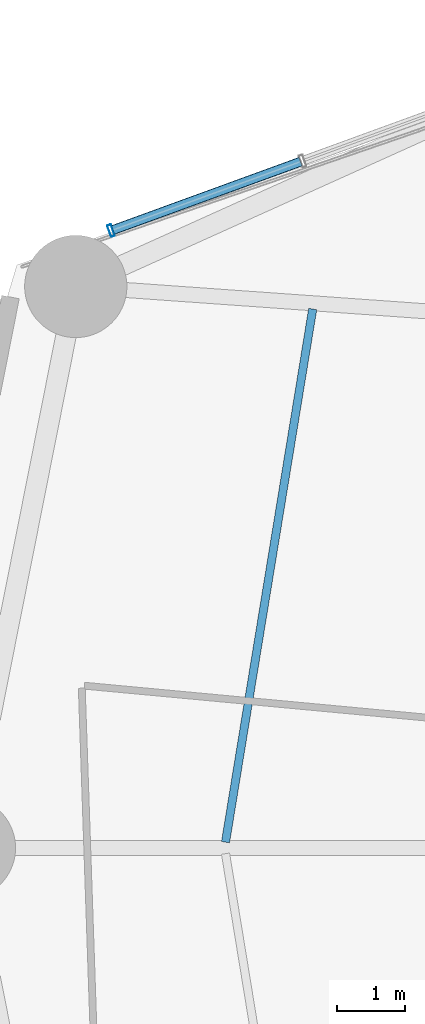
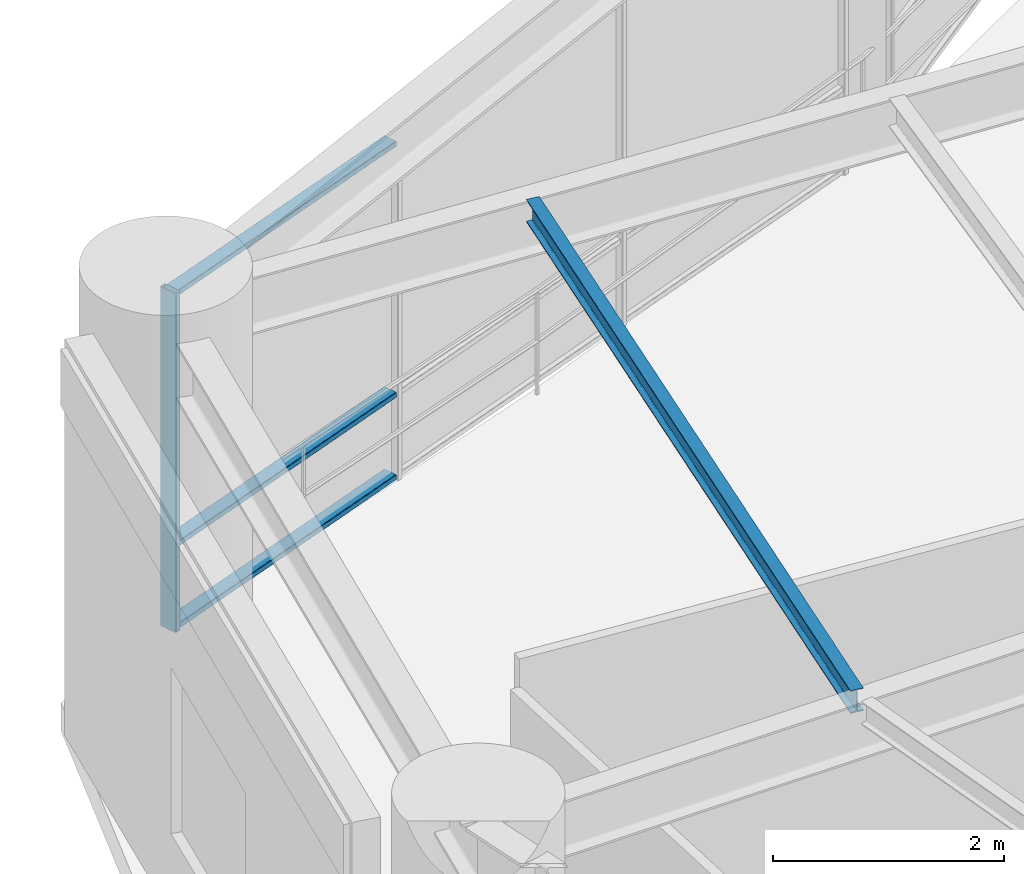
# One storey, part 15 of 55: 4 members, 1 beam, 1 element without a shape of its own.
"""IFC4 building model written with IfcOpenShell, lengths in metres."""

from ifc_helpers import new_model, si_unit, direction, frame, origin, origin_2d, place, context, subcontext, project, spatial, hollow_rectangle, i_section, extrude, material, layer, layer_set, material_profile, profile_set, type_object, element, aggregate, save


model = new_model("IFC4")

# Units and contexts
model_context = context("Model", 3, precision=1e-05, world=origin(), true_north=direction((0.0, 1.0)))
body_context = subcontext(model_context, "Body", "Model", "MODEL_VIEW")
ifc_project = project(units=[si_unit("LENGTHUNIT", "METRE"), si_unit("AREAUNIT", "SQUARE_METRE"), si_unit("VOLUMEUNIT", "CUBIC_METRE"), si_unit("PLANEANGLEUNIT", "RADIAN"), si_unit("MASSUNIT", "GRAM", prefix="KILO")], contexts=[model_context])

# Site, building, storey
site_placement = place(None, origin())
site = spatial("IfcSite", under=ifc_project, at=site_placement, CompositionType="ELEMENT")
building_placement = place(site_placement, origin())
building = spatial("IfcBuilding", under=site, at=building_placement, Name="Kelanora Arch Commons", CompositionType="ELEMENT")
storey_placement = place(building_placement, frame((0.0, 0.0, 4.5)))
storey = spatial("IfcBuildingStorey", under=building, at=storey_placement, Name="L01", CompositionType="ELEMENT", Elevation=4.5)

# Beam
ifc_material_1 = material(Name="Steel S355", Category="steel")
ifc_material_profile_1 = material_profile(ifc_material_1, i_section(OverallWidth=0.1201171875, OverallDepth=0.239990234375, WebThickness=0.006103515625, FlangeThickness=0.009765625, FilletRadius=0.014892578125, at=origin_2d()), Name="IPE240")
ifc_profile_set_1 = profile_set([ifc_material_profile_1], Name="Steel S355")
beam_type = type_object("IfcBeamType", Name="BM-JST-02", PredefinedType="JOIST", material=ifc_profile_set_1)
beam_placement = place(storey_placement, frame((52.02880859375, 65.90478515625, 4.080078125), z_axis=(-0.161400737199, -0.986888951216, 0.0), x_axis=(0.986888951216, -0.161400737199, 0.0)))
element("IfcBeam", 1, at=beam_placement, inside=storey, type_object=beam_type, Name="Secondary Chord Joist BJC-16 L01", PredefinedType="JOIST", context=body_context, shape_type="SweptSolid", body=[
    extrude(i_section(OverallWidth=0.1201171875, OverallDepth=0.239990234375, WebThickness=0.006103515625, FlangeThickness=0.009765625, FilletRadius=0.014892578125, at=origin_2d()), origin(), (0.0, 0.0, 1.0), 7.9248046875),
])

# Curtain wall, members
ifc_material_2 = material(Name="Terracotta ceramic-fritted low-E glass and aluminium", Category="masonry")
ifc_layer = layer(ifc_material_2, 0.2099609375)
ifc_layer_set = layer_set([ifc_layer], Name="Terracotta ceramic-fritted low-E glass and aluminium")
curtain_wall_type = type_object("IfcCurtainWallType", Name="CW-SYS-04", PredefinedType="NOTDEFINED", material=ifc_layer_set)
curtain_wall_placement = place(storey_placement, origin())
curtain_wall = element("IfcCurtainWall", 2, at=curtain_wall_placement, inside=storey, type_object=curtain_wall_type, Name="Unitised Curtain Wall L01-B07", PredefinedType="NOTDEFINED")
ifc_material_3 = material(Name="Powder-coated aluminium terracotta", Category="masonry")
ifc_material_profile_2 = material_profile(ifc_material_3, hollow_rectangle(XDim=0.179931640625, YDim=0.06005859375, WallThickness=0.0048828125, InnerFilletRadius=0.0048828125, OuterFilletRadius=0.010009765625, at=origin_2d()), Name="CWM180x60")
ifc_profile_set_2 = profile_set([ifc_material_profile_2], Name="Powder-coated aluminium terracotta")
member_type_1 = type_object("IfcMemberType", Name="CWM-HVY", PredefinedType="MULLION", material=ifc_profile_set_2)
member_1_placement = place(storey_placement, frame((49.071044921875, 67.05419921875, 0.0), z_axis=(0.0, 0.0, 1.0), x_axis=(0.342318215206, -0.939584077951, 0.0)))
member_1 = element("IfcMember", 3, at=member_1_placement, type_object=member_type_1, Name="CW-04 mullion 4", PredefinedType="MULLION", context=body_context, shape_type="SweptSolid", body=[
    extrude(hollow_rectangle(XDim=0.179931640625, YDim=0.06005859375, WallThickness=0.0048828125, InnerFilletRadius=0.0048828125, OuterFilletRadius=0.010009765625, at=origin_2d()), origin(), (0.0, 0.0, 1.0), 3.580078125),
])
ifc_material_profile_3 = material_profile(ifc_material_3, hollow_rectangle(XDim=0.139892578125, YDim=0.06005859375, WallThickness=0.0048828125, InnerFilletRadius=0.0048828125, OuterFilletRadius=0.010009765625, at=origin_2d()), Name="CWT140x60")
ifc_profile_set_3 = profile_set([ifc_material_profile_3], Name="Powder-coated aluminium terracotta")
member_type_2 = type_object("IfcMemberType", Name="CWT-HVY", PredefinedType="USERDEFINED", material=ifc_profile_set_3)
member_2_placement = place(storey_placement, frame((51.85205078125, 68.0673828125, 0.030029296875), z_axis=(-0.939579128074, -0.342331801164, 0.0), x_axis=(0.342331801164, -0.939579128074, 0.0)))
member_2 = element("IfcMember", 4, at=member_2_placement, type_object=member_type_2, Name="CW-04 transom 3.1", ObjectType="TRANSOM", PredefinedType="USERDEFINED", context=body_context, shape_type="SweptSolid", body=[
    extrude(hollow_rectangle(XDim=0.139892578125, YDim=0.06005859375, WallThickness=0.0048828125, InnerFilletRadius=0.0048828125, OuterFilletRadius=0.010009765625, at=origin_2d()), origin(), (0.0, 0.0, 1.0), 2.9296875),
])
member_3_placement = place(storey_placement, frame((51.85205078125, 68.0673828125, 0.89990234375), z_axis=(-0.939579128074, -0.342331801164, 0.0), x_axis=(0.342331801164, -0.939579128074, 0.0)))
member_3 = element("IfcMember", 5, at=member_3_placement, type_object=member_type_2, Name="CW-04 transom 3.2", ObjectType="TRANSOM", PredefinedType="USERDEFINED", context=body_context, shape_type="SweptSolid", body=[
    extrude(hollow_rectangle(XDim=0.139892578125, YDim=0.06005859375, WallThickness=0.0048828125, InnerFilletRadius=0.0048828125, OuterFilletRadius=0.010009765625, at=origin_2d()), origin(), (0.0, 0.0, 1.0), 2.9296875),
])
member_4_placement = place(storey_placement, frame((51.85205078125, 68.0673828125, 3.550048828125), z_axis=(-0.939579128074, -0.342331801164, 0.0), x_axis=(0.342331801164, -0.939579128074, 0.0)))
member_4 = element("IfcMember", 6, at=member_4_placement, type_object=member_type_2, Name="CW-04 transom 3.3", ObjectType="TRANSOM", PredefinedType="USERDEFINED", context=body_context, shape_type="SweptSolid", body=[
    extrude(hollow_rectangle(XDim=0.139892578125, YDim=0.06005859375, WallThickness=0.0048828125, InnerFilletRadius=0.0048828125, OuterFilletRadius=0.010009765625, at=origin_2d()), origin(), (0.0, 0.0, 1.0), 2.9296875),
])
aggregate(curtain_wall, [member_1, member_2, member_3, member_4])

save(model, "model.ifc")
